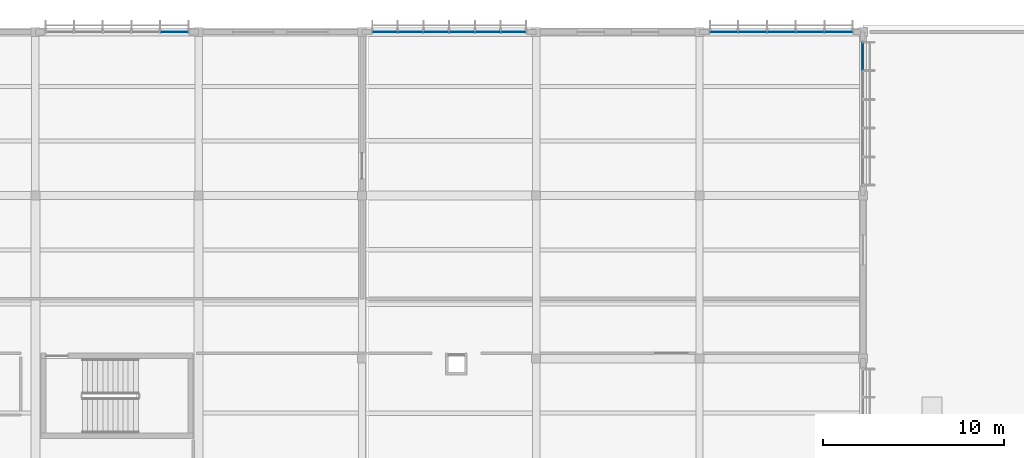
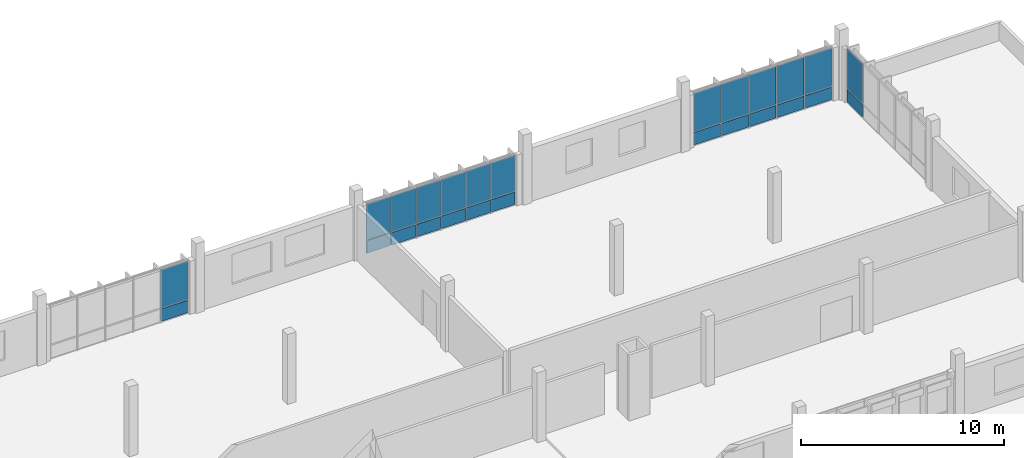
# One storey, part 87 of 107: 26 plates, 4 elements without a shape of their own.
"""IFC4 building model written with IfcOpenShell, lengths in metres."""

from ifc_helpers import new_model, si_unit, direction, frame, origin, origin_2d, place, context, subcontext, project, spatial, rectangle, extrude, material, layer, layer_set, type_object, element, aggregate, save


model = new_model("IFC4")

# Units and contexts
model_context = context("Model", 3, precision=1e-05, world=origin(), true_north=direction((0.0, 1.0)))
body_context = subcontext(model_context, "Body", "Model", "MODEL_VIEW")
ifc_project = project(units=[si_unit("LENGTHUNIT", "METRE"), si_unit("AREAUNIT", "SQUARE_METRE"), si_unit("VOLUMEUNIT", "CUBIC_METRE"), si_unit("PLANEANGLEUNIT", "RADIAN"), si_unit("MASSUNIT", "GRAM", prefix="KILO")], contexts=[model_context])

# Site, building, storey
site_placement = place(None, origin())
site = spatial("IfcSite", under=ifc_project, at=site_placement, CompositionType="ELEMENT")
building_placement = place(site_placement, origin())
building = spatial("IfcBuilding", under=site, at=building_placement, Name="Chiffa Square Polytechnic", CompositionType="ELEMENT")
storey_placement = place(building_placement, frame((0.0, 0.0, 13.800048828125)))
storey = spatial("IfcBuildingStorey", under=building, at=storey_placement, Name="L03", CompositionType="ELEMENT", Elevation=13.800048828125)

# Curtain wall, plate
ifc_material_1 = material(Name="Aluminium EN AW-6060 T66 and glulam shading", Category="wood")
curtain_wall_type_1 = type_object("IfcCurtainWallType", Name="CW-VERT-600X440", PredefinedType="USERDEFINED", material=ifc_material_1)
curtain_wall_1_placement = place(storey_placement, origin())
curtain_wall_1 = element("IfcCurtainWall", 1, at=curtain_wall_1_placement, inside=storey, type_object=curtain_wall_type_1, Name="Curtain wall CW-V5-L03-233", ObjectType="CURTAIN WALL", PredefinedType="USERDEFINED")
ifc_material_2 = material(Name="Double glazing", Category="glass")
ifc_layer_1 = layer(ifc_material_2, 0.0458984375, Name="Double glazing")
ifc_layer_set_1 = layer_set([ifc_layer_1], Name="Double glazing")
plate_type_1 = type_object("IfcPlateType", Name="CWP-GLZ-128X106", PredefinedType="CURTAIN_PANEL", material=ifc_layer_set_1)
plate_1_placement = place(storey_placement, frame((101.257080078125, 130.800048828125, 0.84033203125), z_axis=(0.0, 0.0, 1.0), x_axis=(-1.0, 0.0, 0.0)))
plate_1 = element("IfcPlate", 2, at=plate_1_placement, type_object=plate_type_1, Name="Glazed curtain panel CW-V5-L03-233-PN01", PredefinedType="CURTAIN_PANEL", context=body_context, shape_type="SweptSolid", body=[
    extrude(rectangle(XDim=1.510009765625, YDim=0.0458984375, at=origin_2d()), origin(), (0.0, 0.0, 1.0), 2.304931640625),
])

# Curtain wall, plates
curtain_wall_type_2 = type_object("IfcCurtainWallType", Name="CW-VERT-450X440", PredefinedType="USERDEFINED", material=ifc_material_1)
curtain_wall_2_placement = place(storey_placement, origin())
curtain_wall_2 = element("IfcCurtainWall", 3, at=curtain_wall_2_placement, inside=storey, type_object=curtain_wall_type_2, Name="Curtain wall CW-V5-L03-232", ObjectType="CURTAIN WALL", PredefinedType="USERDEFINED")
ifc_layer_2 = layer(ifc_material_2, 0.0458984375, Name="Double glazing")
ifc_layer_set_2 = layer_set([ifc_layer_2], Name="Double glazing")
plate_type_2 = type_object("IfcPlateType", Name="CWP-GLZ-130X110", PredefinedType="CURTAIN_PANEL", material=ifc_layer_set_2)
plate_2_placement = place(storey_placement, frame((119.93896484375, 130.800048828125, 0.84033203125), z_axis=(0.0, 0.0, 1.0), x_axis=(-1.0, 0.0, 0.0)))
plate_2 = element("IfcPlate", 4, at=plate_2_placement, type_object=plate_type_2, Name="Glazed curtain panel CW-V5-L03-232-PN01", PredefinedType="CURTAIN_PANEL", context=body_context, shape_type="SweptSolid", body=[
    extrude(rectangle(XDim=1.345947265625, YDim=0.0458984375, at=origin_2d()), origin(), (0.0, 0.0, 1.0), 2.155029296875),
])
plate_3_placement = place(storey_placement, frame((118.530029296875, 130.800048828125, 0.84033203125), z_axis=(0.0, 0.0, 1.0), x_axis=(-1.0, 0.0, 0.0)))
plate_3 = element("IfcPlate", 5, at=plate_3_placement, type_object=plate_type_2, Name="Glazed curtain panel CW-V5-L03-232-PN02", PredefinedType="CURTAIN_PANEL", context=body_context, shape_type="SweptSolid", body=[
    extrude(rectangle(XDim=1.367919921875, YDim=0.0458984375, at=origin_2d()), origin(), (0.0, 0.0, 1.0), 2.155029296875),
])
plate_4_placement = place(storey_placement, frame((117.110107421875, 130.800048828125, 0.84033203125), z_axis=(0.0, 0.0, 1.0), x_axis=(-1.0, 0.0, 0.0)))
plate_4 = element("IfcPlate", 6, at=plate_4_placement, type_object=plate_type_2, Name="Glazed curtain panel CW-V5-L03-232-PN03", PredefinedType="CURTAIN_PANEL", context=body_context, shape_type="SweptSolid", body=[
    extrude(rectangle(XDim=1.367919921875, YDim=0.0458984375, at=origin_2d()), origin(), (0.0, 0.0, 1.0), 2.155029296875),
])
plate_5_placement = place(storey_placement, frame((115.68994140625, 130.800048828125, 0.84033203125), z_axis=(0.0, 0.0, 1.0), x_axis=(-1.0, 0.0, 0.0)))
plate_5 = element("IfcPlate", 7, at=plate_5_placement, type_object=plate_type_2, Name="Glazed curtain panel CW-V5-L03-232-PN04", PredefinedType="CURTAIN_PANEL", context=body_context, shape_type="SweptSolid", body=[
    extrude(rectangle(XDim=1.367919921875, YDim=0.0458984375, at=origin_2d()), origin(), (0.0, 0.0, 1.0), 2.155029296875),
])
plate_6_placement = place(storey_placement, frame((114.27001953125, 130.800048828125, 0.84033203125), z_axis=(0.0, 0.0, 1.0), x_axis=(-1.0, 0.0, 0.0)))
plate_6 = element("IfcPlate", 8, at=plate_6_placement, type_object=plate_type_2, Name="Glazed curtain panel CW-V5-L03-232-PN05", PredefinedType="CURTAIN_PANEL", context=body_context, shape_type="SweptSolid", body=[
    extrude(rectangle(XDim=1.367919921875, YDim=0.0458984375, at=origin_2d()), origin(), (0.0, 0.0, 1.0), 2.155029296875),
])
plate_7_placement = place(storey_placement, frame((112.861083984375, 130.800048828125, 0.84033203125), z_axis=(0.0, 0.0, 1.0), x_axis=(-1.0, 0.0, 0.0)))
plate_7 = element("IfcPlate", 9, at=plate_7_placement, type_object=plate_type_2, Name="Glazed curtain panel CW-V5-L03-232-PN06", PredefinedType="CURTAIN_PANEL", context=body_context, shape_type="SweptSolid", body=[
    extrude(rectangle(XDim=1.345947265625, YDim=0.0458984375, at=origin_2d()), origin(), (0.0, 0.0, 1.0), 2.155029296875),
])

curtain_wall_type_3 = type_object("IfcCurtainWallType", Name="CW-VERT-540X440", PredefinedType="USERDEFINED", material=ifc_material_1)
curtain_wall_3_placement = place(storey_placement, origin())
curtain_wall_3 = element("IfcCurtainWall", 10, at=curtain_wall_3_placement, inside=storey, type_object=curtain_wall_type_3, Name="Curtain wall CW-V5-L03-231", ObjectType="CURTAIN WALL", PredefinedType="USERDEFINED")
ifc_layer_3 = layer(ifc_material_2, 0.0439453125, Name="Double glazing")
ifc_layer_set_3 = layer_set([ifc_layer_3], Name="Double glazing")
plate_type_3 = type_object("IfcPlateType", Name="CWP-GLZ-132X114", PredefinedType="CURTAIN_PANEL", material=ifc_layer_set_3)
plate_8_placement = place(storey_placement, frame((137.85693359375, 130.800048828125, 0.84033203125), z_axis=(0.0, 0.0, 1.0), x_axis=(-1.0, 0.0, 0.0)))
plate_8 = element("IfcPlate", 11, at=plate_8_placement, type_object=plate_type_3, Name="Glazed curtain panel CW-V5-L03-231-PN01", PredefinedType="CURTAIN_PANEL", context=body_context, shape_type="SweptSolid", body=[
    extrude(rectangle(XDim=1.510009765625, YDim=0.0439453125, at=origin_2d()), origin(), (0.0, 0.0, 1.0), 2.304931640625),
])
plate_9_placement = place(storey_placement, frame((136.283935546875, 130.800048828125, 0.84033203125), z_axis=(0.0, 0.0, 1.0), x_axis=(-1.0, 0.0, 0.0)))
plate_9 = element("IfcPlate", 12, at=plate_9_placement, type_object=plate_type_3, Name="Glazed curtain panel CW-V5-L03-231-PN02", PredefinedType="CURTAIN_PANEL", context=body_context, shape_type="SweptSolid", body=[
    extrude(rectangle(XDim=1.531982421875, YDim=0.0439453125, at=origin_2d()), origin(), (0.0, 0.0, 1.0), 2.304931640625),
])
plate_10_placement = place(storey_placement, frame((134.699951171875, 130.800048828125, 0.84033203125), z_axis=(0.0, 0.0, 1.0), x_axis=(-1.0, 0.0, 0.0)))
plate_10 = element("IfcPlate", 13, at=plate_10_placement, type_object=plate_type_3, Name="Glazed curtain panel CW-V5-L03-231-PN03", PredefinedType="CURTAIN_PANEL", context=body_context, shape_type="SweptSolid", body=[
    extrude(rectangle(XDim=1.531982421875, YDim=0.0439453125, at=origin_2d()), origin(), (0.0, 0.0, 1.0), 2.304931640625),
])
plate_11_placement = place(storey_placement, frame((133.115966796875, 130.800048828125, 0.84033203125), z_axis=(0.0, 0.0, 1.0), x_axis=(-1.0, 0.0, 0.0)))
plate_11 = element("IfcPlate", 14, at=plate_11_placement, type_object=plate_type_3, Name="Glazed curtain panel CW-V5-L03-231-PN04", PredefinedType="CURTAIN_PANEL", context=body_context, shape_type="SweptSolid", body=[
    extrude(rectangle(XDim=1.531982421875, YDim=0.0439453125, at=origin_2d()), origin(), (0.0, 0.0, 1.0), 2.304931640625),
])
plate_12_placement = place(storey_placement, frame((131.54296875, 130.800048828125, 0.84033203125), z_axis=(0.0, 0.0, 1.0), x_axis=(-1.0, 0.0, 0.0)))
plate_12 = element("IfcPlate", 15, at=plate_12_placement, type_object=plate_type_3, Name="Glazed curtain panel CW-V5-L03-231-PN05", PredefinedType="CURTAIN_PANEL", context=body_context, shape_type="SweptSolid", body=[
    extrude(rectangle(XDim=1.510009765625, YDim=0.0439453125, at=origin_2d()), origin(), (0.0, 0.0, 1.0), 2.304931640625),
])

# Curtain wall, plate
curtain_wall_type_4 = type_object("IfcCurtainWallType", Name="CW-VERT-480X380", PredefinedType="USERDEFINED", material=ifc_material_1)
curtain_wall_4_placement = place(storey_placement, origin())
curtain_wall_4 = element("IfcCurtainWall", 16, at=curtain_wall_4_placement, inside=storey, type_object=curtain_wall_type_4, Name="Curtain wall CW-V5-L03-230", ObjectType="CURTAIN WALL", PredefinedType="USERDEFINED")
ifc_layer_4 = layer(ifc_material_2, 0.0439453125, Name="Double glazing")
ifc_layer_set_4 = layer_set([ifc_layer_4], Name="Double glazing")
plate_type_4 = type_object("IfcPlateType", Name="CWP-GLZ-134X118", PredefinedType="CURTAIN_PANEL", material=ifc_layer_set_4)
plate_13_placement = place(storey_placement, frame((139.199951171875, 129.45703125, 0.84033203125), z_axis=(0.0, 0.0, 1.0), x_axis=(0.0, 1.0, 0.0)))
plate_13 = element("IfcPlate", 17, at=plate_13_placement, type_object=plate_type_4, Name="Glazed curtain panel CW-V5-L03-230-PN05", PredefinedType="CURTAIN_PANEL", context=body_context, shape_type="SweptSolid", body=[
    extrude(rectangle(XDim=1.510009765625, YDim=0.0439453125, at=origin_2d()), origin(), (0.0, 0.0, 1.0), 2.405029296875),
])

# Plate
ifc_material_3 = material(Name="Aluminium insulated spandrel", Category="aluminium")
ifc_layer_5 = layer(ifc_material_3, 0.06396484375, Name="Aluminium insulated spandrel")
ifc_layer_set_5 = layer_set([ifc_layer_5], Name="Aluminium insulated spandrel")
plate_type_5 = type_object("IfcPlateType", Name="CWP-SPN-146X082", PredefinedType="SHEET", material=ifc_layer_set_5)
plate_14_placement = place(storey_placement, frame((101.257080078125, 130.800048828125, 0.050048828125), z_axis=(0.0, 0.0, 1.0), x_axis=(-1.0, 0.0, 0.0)))
plate_14 = element("IfcPlate", 18, at=plate_14_placement, type_object=plate_type_5, Name="Spandrel panel CW-V5-L03-233-SP01", PredefinedType="SHEET", context=body_context, shape_type="SweptSolid", body=[
    extrude(rectangle(XDim=1.510009765625, YDim=0.06396484375, at=origin_2d()), origin(), (0.0, 0.0, 1.0), 0.75),
])

aggregate(curtain_wall_1, [plate_14, plate_1])

ifc_layer_6 = layer(ifc_material_3, 0.06201171875, Name="Aluminium insulated spandrel")
ifc_layer_set_6 = layer_set([ifc_layer_6], Name="Aluminium insulated spandrel")
plate_type_6 = type_object("IfcPlateType", Name="CWP-SPN-148X084", PredefinedType="SHEET", material=ifc_layer_set_6)
plate_15_placement = place(storey_placement, frame((119.93896484375, 130.800048828125, 0.050048828125), z_axis=(0.0, 0.0, 1.0), x_axis=(-1.0, 0.0, 0.0)))
plate_15 = element("IfcPlate", 19, at=plate_15_placement, type_object=plate_type_6, Name="Spandrel panel CW-V5-L03-232-SP01", PredefinedType="SHEET", context=body_context, shape_type="SweptSolid", body=[
    extrude(rectangle(XDim=1.345947265625, YDim=0.06201171875, at=origin_2d()), origin(), (0.0, 0.0, 1.0), 0.75),
])

plate_16_placement = place(storey_placement, frame((118.530029296875, 130.800048828125, 0.050048828125), z_axis=(0.0, 0.0, 1.0), x_axis=(-1.0, 0.0, 0.0)))
plate_16 = element("IfcPlate", 20, at=plate_16_placement, type_object=plate_type_6, Name="Spandrel panel CW-V5-L03-232-SP02", PredefinedType="SHEET", context=body_context, shape_type="SweptSolid", body=[
    extrude(rectangle(XDim=1.367919921875, YDim=0.06201171875, at=origin_2d()), origin(), (0.0, 0.0, 1.0), 0.75),
])

plate_17_placement = place(storey_placement, frame((117.110107421875, 130.800048828125, 0.050048828125), z_axis=(0.0, 0.0, 1.0), x_axis=(-1.0, 0.0, 0.0)))
plate_17 = element("IfcPlate", 21, at=plate_17_placement, type_object=plate_type_6, Name="Spandrel panel CW-V5-L03-232-SP03", PredefinedType="SHEET", context=body_context, shape_type="SweptSolid", body=[
    extrude(rectangle(XDim=1.367919921875, YDim=0.06201171875, at=origin_2d()), origin(), (0.0, 0.0, 1.0), 0.75),
])

plate_18_placement = place(storey_placement, frame((115.68994140625, 130.800048828125, 0.050048828125), z_axis=(0.0, 0.0, 1.0), x_axis=(-1.0, 0.0, 0.0)))
plate_18 = element("IfcPlate", 22, at=plate_18_placement, type_object=plate_type_6, Name="Spandrel panel CW-V5-L03-232-SP04", PredefinedType="SHEET", context=body_context, shape_type="SweptSolid", body=[
    extrude(rectangle(XDim=1.367919921875, YDim=0.06201171875, at=origin_2d()), origin(), (0.0, 0.0, 1.0), 0.75),
])

plate_19_placement = place(storey_placement, frame((114.27001953125, 130.800048828125, 0.050048828125), z_axis=(0.0, 0.0, 1.0), x_axis=(-1.0, 0.0, 0.0)))
plate_19 = element("IfcPlate", 23, at=plate_19_placement, type_object=plate_type_6, Name="Spandrel panel CW-V5-L03-232-SP05", PredefinedType="SHEET", context=body_context, shape_type="SweptSolid", body=[
    extrude(rectangle(XDim=1.367919921875, YDim=0.06201171875, at=origin_2d()), origin(), (0.0, 0.0, 1.0), 0.75),
])

plate_20_placement = place(storey_placement, frame((112.861083984375, 130.800048828125, 0.050048828125), z_axis=(0.0, 0.0, 1.0), x_axis=(-1.0, 0.0, 0.0)))
plate_20 = element("IfcPlate", 24, at=plate_20_placement, type_object=plate_type_6, Name="Spandrel panel CW-V5-L03-232-SP06", PredefinedType="SHEET", context=body_context, shape_type="SweptSolid", body=[
    extrude(rectangle(XDim=1.345947265625, YDim=0.06201171875, at=origin_2d()), origin(), (0.0, 0.0, 1.0), 0.75),
])

aggregate(curtain_wall_2, [plate_15, plate_2, plate_16, plate_3, plate_17, plate_4, plate_18, plate_5, plate_19, plate_6, plate_20, plate_7])

ifc_layer_7 = layer(ifc_material_3, 0.06005859375, Name="Aluminium insulated spandrel")
ifc_layer_set_7 = layer_set([ifc_layer_7], Name="Aluminium insulated spandrel")
plate_type_7 = type_object("IfcPlateType", Name="CWP-SPN-150X080", PredefinedType="SHEET", material=ifc_layer_set_7)
plate_21_placement = place(storey_placement, frame((137.85693359375, 130.800048828125, 0.050048828125), z_axis=(0.0, 0.0, 1.0), x_axis=(-1.0, 0.0, 0.0)))
plate_21 = element("IfcPlate", 25, at=plate_21_placement, type_object=plate_type_7, Name="Spandrel panel CW-V5-L03-231-SP01", PredefinedType="SHEET", context=body_context, shape_type="SweptSolid", body=[
    extrude(rectangle(XDim=1.510009765625, YDim=0.06005859375, at=origin_2d()), origin(), (0.0, 0.0, 1.0), 0.75),
])

plate_22_placement = place(storey_placement, frame((136.283935546875, 130.800048828125, 0.050048828125), z_axis=(0.0, 0.0, 1.0), x_axis=(-1.0, 0.0, 0.0)))
plate_22 = element("IfcPlate", 26, at=plate_22_placement, type_object=plate_type_7, Name="Spandrel panel CW-V5-L03-231-SP02", PredefinedType="SHEET", context=body_context, shape_type="SweptSolid", body=[
    extrude(rectangle(XDim=1.531982421875, YDim=0.06005859375, at=origin_2d()), origin(), (0.0, 0.0, 1.0), 0.75),
])

plate_23_placement = place(storey_placement, frame((134.699951171875, 130.800048828125, 0.050048828125), z_axis=(0.0, 0.0, 1.0), x_axis=(-1.0, 0.0, 0.0)))
plate_23 = element("IfcPlate", 27, at=plate_23_placement, type_object=plate_type_7, Name="Spandrel panel CW-V5-L03-231-SP03", PredefinedType="SHEET", context=body_context, shape_type="SweptSolid", body=[
    extrude(rectangle(XDim=1.531982421875, YDim=0.06005859375, at=origin_2d()), origin(), (0.0, 0.0, 1.0), 0.75),
])

plate_24_placement = place(storey_placement, frame((133.115966796875, 130.800048828125, 0.050048828125), z_axis=(0.0, 0.0, 1.0), x_axis=(-1.0, 0.0, 0.0)))
plate_24 = element("IfcPlate", 28, at=plate_24_placement, type_object=plate_type_7, Name="Spandrel panel CW-V5-L03-231-SP04", PredefinedType="SHEET", context=body_context, shape_type="SweptSolid", body=[
    extrude(rectangle(XDim=1.531982421875, YDim=0.06005859375, at=origin_2d()), origin(), (0.0, 0.0, 1.0), 0.75),
])

plate_25_placement = place(storey_placement, frame((131.54296875, 130.800048828125, 0.050048828125), z_axis=(0.0, 0.0, 1.0), x_axis=(-1.0, 0.0, 0.0)))
plate_25 = element("IfcPlate", 29, at=plate_25_placement, type_object=plate_type_7, Name="Spandrel panel CW-V5-L03-231-SP05", PredefinedType="SHEET", context=body_context, shape_type="SweptSolid", body=[
    extrude(rectangle(XDim=1.510009765625, YDim=0.06005859375, at=origin_2d()), origin(), (0.0, 0.0, 1.0), 0.75),
])

aggregate(curtain_wall_3, [plate_21, plate_8, plate_22, plate_9, plate_23, plate_10, plate_24, plate_11, plate_25, plate_12])

ifc_layer_8 = layer(ifc_material_3, 0.06005859375, Name="Aluminium insulated spandrel")
ifc_layer_set_8 = layer_set([ifc_layer_8], Name="Aluminium insulated spandrel")
plate_type_8 = type_object("IfcPlateType", Name="CWP-SPN-150X095", PredefinedType="SHEET", material=ifc_layer_set_8)
plate_26_placement = place(storey_placement, frame((139.199951171875, 129.45703125, 0.050048828125), z_axis=(0.0, 0.0, 1.0), x_axis=(0.0, 1.0, 0.0)))
plate_26 = element("IfcPlate", 30, at=plate_26_placement, type_object=plate_type_8, Name="Spandrel panel CW-V5-L03-230-SP05", PredefinedType="SHEET", context=body_context, shape_type="SweptSolid", body=[
    extrude(rectangle(XDim=1.510009765625, YDim=0.06005859375, at=origin_2d()), origin(), (0.0, 0.0, 1.0), 0.75),
])

aggregate(curtain_wall_4, [plate_26, plate_13])

save(model, "model.ifc")
